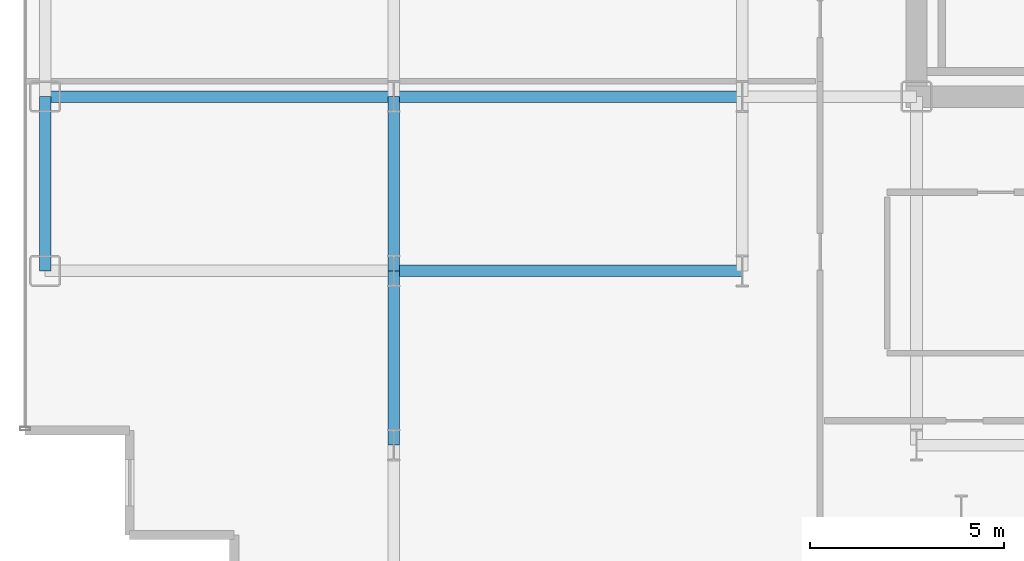
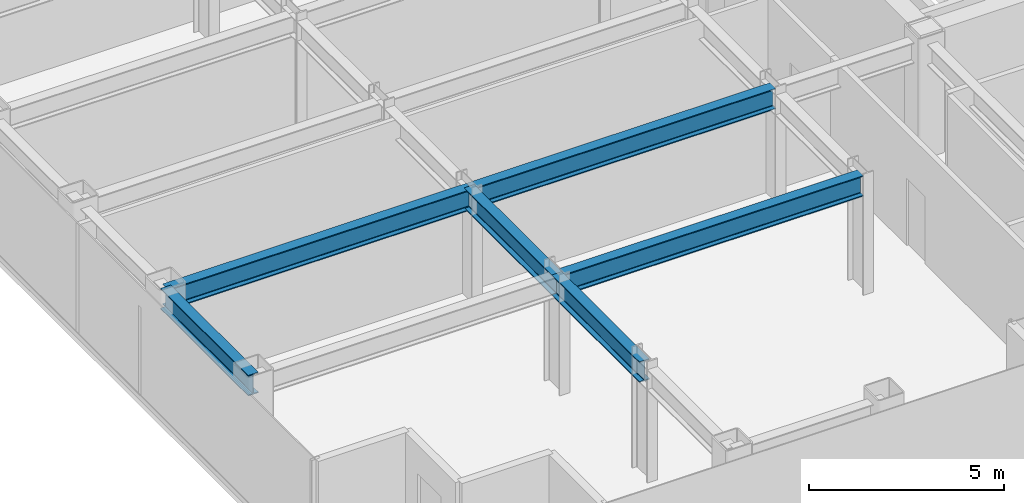
# One storey, part 4 of 23: 6 beams.
"""IFC4 building model written with IfcOpenShell, lengths in metres."""

from ifc_helpers import new_model, si_unit, direction, frame, origin, origin_2d, place, context, subcontext, project, spatial, i_section, extrude, source, transform, mapped, material, material_profile, profile_set, type_object, element, save


model = new_model("IFC4")

# Units and contexts
model_context = context("Model", 3, precision=1e-05, world=origin(), true_north=direction((0.0, 1.0)))
body_context = subcontext(model_context, "Body", "Model", "MODEL_VIEW")
ifc_project = project(units=[si_unit("LENGTHUNIT", "METRE"), si_unit("AREAUNIT", "SQUARE_METRE"), si_unit("VOLUMEUNIT", "CUBIC_METRE"), si_unit("PLANEANGLEUNIT", "RADIAN"), si_unit("MASSUNIT", "GRAM", prefix="KILO")], contexts=[model_context])

# Site, building, storey
site_placement = place(None, origin())
site = spatial("IfcSite", under=ifc_project, at=site_placement, CompositionType="ELEMENT")
building_placement = place(site_placement, origin())
building = spatial("IfcBuilding", under=site, at=building_placement, Name="Nefas-Gora Pilgrimage Tower", CompositionType="ELEMENT")
storey_placement = place(building_placement, frame((0.0, 0.0, 190.60009765625)))
storey = spatial("IfcBuildingStorey", under=building, at=storey_placement, Name="L47", CompositionType="ELEMENT", Elevation=190.60009765625)

# Beams
ifc_material = material(Name="Steel S355", Category="steel")
ifc_material_profile_1 = material_profile(ifc_material, i_section(OverallWidth=0.300048828125, OverallDepth=0.64990234375, WebThickness=0.01611328125, FlangeThickness=0.031005859375, FilletRadius=0.027099609375, at=origin_2d()), Name="HEB 650")
ifc_profile_set_1 = profile_set([ifc_material_profile_1], Name="Steel S355")
beam_type_1 = type_object("IfcBeamType", Name="BM-SPN-HEB500", PredefinedType="SPANDREL", material=ifc_profile_set_1)
shared_shape_1 = source(origin(), body_context, "Body", "SweptSolid", [
    extrude(i_section(OverallWidth=0.300048828125, OverallDepth=0.64990234375, WebThickness=0.01611328125, FlangeThickness=0.031005859375, FilletRadius=0.027099609375, at=origin_2d()), origin(), (0.0, 0.0, 1.0), 4.5),
])
beam_placement = place(storey_placement, frame((-33.75, -13.5, 3.224853515625), z_axis=(0.0, 1.0, 0.0), x_axis=(-1.0, 0.0, 0.0)))
element("IfcBeam", 1, at=beam_placement, inside=storey, type_object=beam_type_1, Name="L47 SP-02 beam", PredefinedType="SPANDREL", context=body_context, shape_type="MappedRepresentation", body=[
    mapped(shared_shape_1, transform((0.0, 0.0, 0.0), x_axis=(1.0, 0.0, 0.0), y_axis=(0.0, 1.0, 0.0), z_axis=(0.0, 0.0, 1.0), scale=1.0)),
])
ifc_material_profile_2 = material_profile(ifc_material, i_section(OverallWidth=0.300048828125, OverallDepth=0.64990234375, WebThickness=0.01611328125, FlangeThickness=0.031005859375, FilletRadius=0.027099609375, at=origin_2d()), Name="HEB 650")
ifc_profile_set_2 = profile_set([ifc_material_profile_2], Name="Steel S355")
beam_type_2 = type_object("IfcBeamType", Name="BM-GIR-HEB650", PredefinedType="BEAM", material=ifc_profile_set_2)
shared_shape_2 = source(origin(), body_context, "Body", "SweptSolid", [
    extrude(i_section(OverallWidth=0.300048828125, OverallDepth=0.64990234375, WebThickness=0.01611328125, FlangeThickness=0.031005859375, FilletRadius=0.027099609375, at=origin_2d()), origin(), (0.0, 0.0, 1.0), 9.0),
])
for number, where, z_axis, x_axis, name in (
    (2, (-33.75, -9.0, 3.224853515625), (1.0, 0.0, 0.0), (0.0, 1.0, 0.0), "L47 G-03 beam"),
    (3, (-24.75, -13.5, 3.224853515625), (1.0, 0.0, 0.0), (0.0, 1.0, 0.0), "L47 G-03 beam"),
    (4, (-24.75, -9.0, 3.224853515625), (1.0, 0.0, 0.0), (0.0, 1.0, 0.0), "L47 G-03 beam"),
):
    element("IfcBeam", number, at=place(storey_placement, frame(where, z_axis=z_axis, x_axis=x_axis)), inside=storey, type_object=beam_type_2, Name=name, PredefinedType="BEAM", context=body_context, shape_type="MappedRepresentation", body=[
        mapped(shared_shape_2, transform((0.0, 0.0, 0.0), x_axis=(1.0, 0.0, 0.0), y_axis=(0.0, 1.0, 0.0), z_axis=(0.0, 0.0, 1.0), scale=1.0)),
    ])
shared_shape_3 = source(origin(), body_context, "Body", "SweptSolid", [
    extrude(i_section(OverallWidth=0.300048828125, OverallDepth=0.64990234375, WebThickness=0.01611328125, FlangeThickness=0.031005859375, FilletRadius=0.027099609375, at=origin_2d()), origin(), (0.0, 0.0, 1.0), 4.5),
])
for number, where, z_axis, x_axis, name in (
    (5, (-24.75, -18.0, 3.224853515625), (0.0, 1.0, 0.0), (-1.0, 0.0, 0.0), "L47 G-03 beam"),
    (6, (-24.75, -13.5, 3.224853515625), (0.0, 1.0, 0.0), (-1.0, 0.0, 0.0), "L47 G-03 beam"),
):
    element("IfcBeam", number, at=place(storey_placement, frame(where, z_axis=z_axis, x_axis=x_axis)), inside=storey, type_object=beam_type_2, Name=name, PredefinedType="BEAM", context=body_context, shape_type="MappedRepresentation", body=[
        mapped(shared_shape_3, transform((0.0, 0.0, 0.0), x_axis=(1.0, 0.0, 0.0), y_axis=(0.0, 1.0, 0.0), z_axis=(0.0, 0.0, 1.0), scale=1.0)),
    ])

save(model, "model.ifc")
